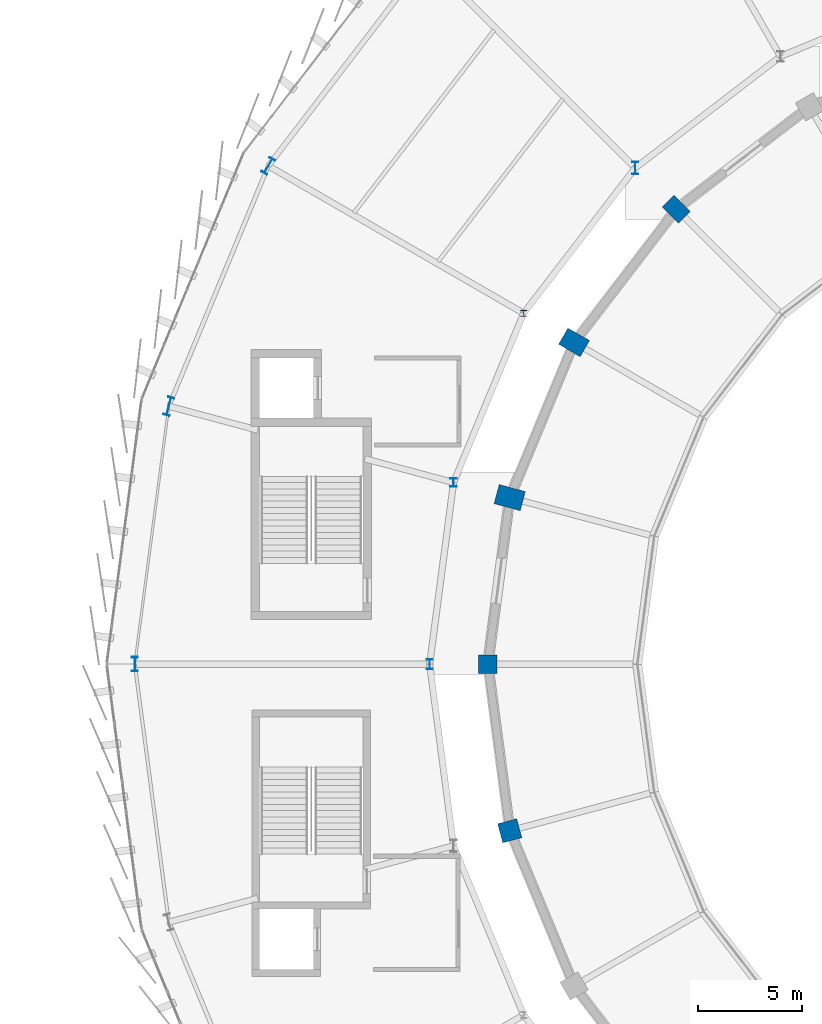
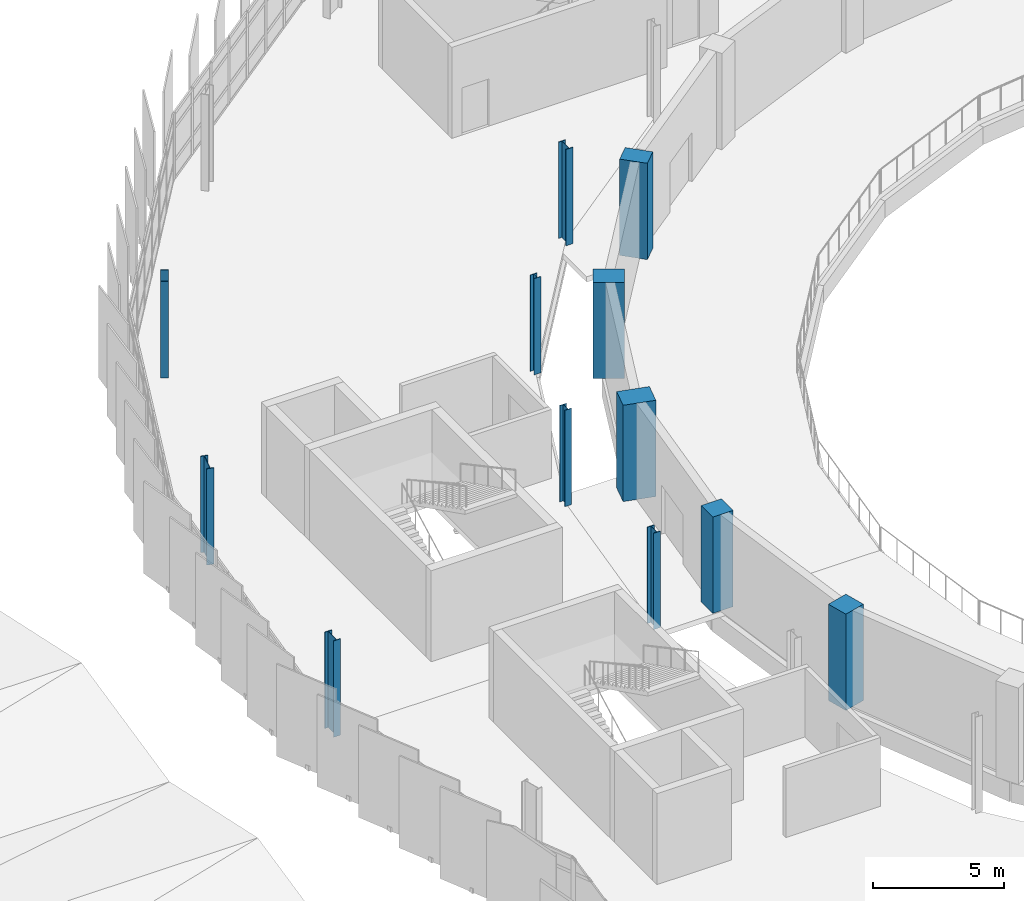
# One storey, part 8 of 87: 12 columns.
"""IFC4 building model written with IfcOpenShell, lengths in metres."""

from ifc_helpers import new_model, si_unit, direction, frame, origin, origin_2d, place, context, subcontext, project, spatial, rectangle, i_section, extrude, material, material_profile, profile_set, type_object, element, save


model = new_model("IFC4")

# Units and contexts
model_context = context("Model", 3, precision=1e-05, world=origin(), true_north=direction((0.0, 1.0)))
body_context = subcontext(model_context, "Body", "Model", "MODEL_VIEW")
ifc_project = project(units=[si_unit("LENGTHUNIT", "METRE"), si_unit("AREAUNIT", "SQUARE_METRE"), si_unit("VOLUMEUNIT", "CUBIC_METRE"), si_unit("PLANEANGLEUNIT", "RADIAN"), si_unit("MASSUNIT", "GRAM", prefix="KILO")], contexts=[model_context])

# Site, building, storey
site_placement = place(None, origin())
site = spatial("IfcSite", under=ifc_project, at=site_placement, CompositionType="ELEMENT")
building_placement = place(site_placement, origin())
building = spatial("IfcBuilding", under=site, at=building_placement, Name="Sohan Crest Arena", CompositionType="ELEMENT")
storey_placement = place(building_placement, frame((0.0, 0.0, 18.0)))
storey = spatial("IfcBuildingStorey", under=building, at=storey_placement, Name="L04", CompositionType="ELEMENT", Elevation=18.0)

# Columns
ifc_material_1 = material(Name="Concrete C40/50", Category="concrete")
ifc_material_profile_1 = material_profile(ifc_material_1, rectangle(XDim=0.89990234375, YDim=0.89990234375, at=origin_2d()), Name="RC 900x900")
ifc_profile_set_1 = profile_set([ifc_material_profile_1], Name="Concrete C40/50")
column_type_1 = type_object("IfcColumnType", Name="STR-COL-C07", PredefinedType="COLUMN", material=ifc_profile_set_1)
column_1_placement = place(storey_placement, frame((67.0, 78.0, 0.0), z_axis=(0.0, 0.0, 1.0), x_axis=(1.0, 0.0, 0.0)))
element("IfcColumn", 1, at=column_1_placement, inside=storey, type_object=column_type_1, Name="Structural column COL-V1R-07-L04", PredefinedType="COLUMN", context=body_context, shape_type="SweptSolid", body=[
    extrude(rectangle(XDim=0.89990234375, YDim=0.89990234375, at=origin_2d()), origin(), (0.0, 0.0, 1.0), 4.5),
])
ifc_material_profile_2 = material_profile(ifc_material_1, rectangle(XDim=0.949951171875, YDim=0.949951171875, at=origin_2d()), Name="RC 950x950")
ifc_profile_set_2 = profile_set([ifc_material_profile_2], Name="Concrete C40/50")
column_type_2 = type_object("IfcColumnType", Name="STR-COL-C08", PredefinedType="COLUMN", material=ifc_profile_set_2)
column_2_placement = place(storey_placement, frame((68.055908203125, 69.97705078125, 0.0), z_axis=(0.0, 0.0, 1.0), x_axis=(0.965925826289, 0.258819045103, 0.0)))
element("IfcColumn", 2, at=column_2_placement, inside=storey, type_object=column_type_2, Name="Structural column COL-V1R-08-L04", PredefinedType="COLUMN", context=body_context, shape_type="SweptSolid", body=[
    extrude(rectangle(XDim=0.949951171875, YDim=0.949951171875, at=origin_2d()), origin(), (0.0, 0.0, 1.0), 4.5),
])
ifc_material_profile_3 = material_profile(ifc_material_1, rectangle(XDim=1.10009765625, YDim=0.800048828125, at=origin_2d()), Name="RC 1100x800")
ifc_profile_set_3 = profile_set([ifc_material_profile_3], Name="Concrete C40/50")
column_type_3 = type_object("IfcColumnType", Name="STR-COL-C10", PredefinedType="COLUMN", material=ifc_profile_set_3)
column_3_placement = place(storey_placement, frame((76.080078125, 99.919921875, 0.0), z_axis=(0.0, 0.0, 1.0), x_axis=(-0.707106781187, 0.707106781187, 0.0)))
element("IfcColumn", 3, at=column_3_placement, inside=storey, type_object=column_type_3, Name="Structural column COL-V1R-04-L04", PredefinedType="COLUMN", context=body_context, shape_type="SweptSolid", body=[
    extrude(rectangle(XDim=1.10009765625, YDim=0.800048828125, at=origin_2d()), origin(), (0.0, 0.0, 1.0), 4.5),
])
ifc_material_profile_4 = material_profile(ifc_material_1, rectangle(XDim=1.199951171875, YDim=0.89990234375, at=origin_2d()), Name="RC 1200x900")
ifc_profile_set_4 = profile_set([ifc_material_profile_4], Name="Concrete C40/50")
column_type_4 = type_object("IfcColumnType", Name="STR-COL-C11", PredefinedType="COLUMN", material=ifc_profile_set_4)
column_4_placement = place(storey_placement, frame((71.153076171875, 93.5, 0.0), z_axis=(0.0, 0.0, 1.0), x_axis=(-0.866025403784, 0.5, 0.0)))
element("IfcColumn", 4, at=column_4_placement, inside=storey, type_object=column_type_4, Name="Structural column COL-V1R-05-L04", PredefinedType="COLUMN", context=body_context, shape_type="SweptSolid", body=[
    extrude(rectangle(XDim=1.199951171875, YDim=0.89990234375, at=origin_2d()), origin(), (0.0, 0.0, 1.0), 4.5),
])
ifc_material_profile_5 = material_profile(ifc_material_1, rectangle(XDim=1.300048828125, YDim=0.949951171875, at=origin_2d()), Name="RC 1300x950")
ifc_profile_set_5 = profile_set([ifc_material_profile_5], Name="Concrete C40/50")
column_type_5 = type_object("IfcColumnType", Name="STR-COL-C12", PredefinedType="COLUMN", material=ifc_profile_set_5)
column_5_placement = place(storey_placement, frame((68.055908203125, 86.02294921875, 0.0), z_axis=(0.0, 0.0, 1.0), x_axis=(-0.965925826289, 0.258819045103, 0.0)))
element("IfcColumn", 5, at=column_5_placement, inside=storey, type_object=column_type_5, Name="Structural column COL-V1R-06-L04", PredefinedType="COLUMN", context=body_context, shape_type="SweptSolid", body=[
    extrude(rectangle(XDim=1.300048828125, YDim=0.949951171875, at=origin_2d()), origin(), (0.0, 0.0, 1.0), 4.5),
])
ifc_material_2 = material(Name="Steel S355", Category="steel")
ifc_material_profile_6 = material_profile(ifc_material_2, i_section(OverallWidth=0.300048828125, OverallDepth=0.300048828125, WebThickness=0.010986328125, FlangeThickness=0.01904296875, at=origin_2d()), Name="HEB 300")
ifc_profile_set_6 = profile_set([ifc_material_profile_6], Name="Steel S355")
column_type_6 = type_object("IfcColumnType", Name="STR-COL-C17", PredefinedType="COLUMN", material=ifc_profile_set_6)
column_6_placement = place(storey_placement, frame((68.72802734375, 94.89990234375, 0.0), z_axis=(0.0, 0.0, 1.0), x_axis=(1.0, 0.0, 0.0)))
element("IfcColumn", 6, at=column_6_placement, inside=storey, type_object=column_type_6, Name="Structural column COL-V2I-05-L04", PredefinedType="COLUMN", context=body_context, shape_type="SweptSolid", body=[
    extrude(i_section(OverallWidth=0.300048828125, OverallDepth=0.300048828125, WebThickness=0.010986328125, FlangeThickness=0.01904296875, at=origin_2d()), origin(), (0.0, 0.0, 1.0), 4.5),
])
ifc_material_profile_7 = material_profile(ifc_material_2, i_section(OverallWidth=0.300048828125, OverallDepth=0.39990234375, WebThickness=0.013427734375, FlangeThickness=0.02392578125, at=origin_2d()), Name="HEB 400")
ifc_profile_set_7 = profile_set([ifc_material_profile_7], Name="Steel S355")
column_type_7 = type_object("IfcColumnType", Name="STR-COL-C18", PredefinedType="COLUMN", material=ifc_profile_set_7)
column_7_placement = place(storey_placement, frame((65.35205078125, 86.748046875, 0.0), z_axis=(0.0, 0.0, 1.0), x_axis=(1.0, 0.0, 0.0)))
element("IfcColumn", 7, at=column_7_placement, inside=storey, type_object=column_type_7, Name="Structural column COL-V2I-06-L04", PredefinedType="COLUMN", context=body_context, shape_type="SweptSolid", body=[
    extrude(i_section(OverallWidth=0.300048828125, OverallDepth=0.39990234375, WebThickness=0.013427734375, FlangeThickness=0.02392578125, at=origin_2d()), origin(), (0.0, 0.0, 1.0), 4.5),
])
ifc_material_profile_8 = material_profile(ifc_material_2, i_section(OverallWidth=0.300048828125, OverallDepth=0.5, WebThickness=0.014404296875, FlangeThickness=0.028076171875, at=origin_2d()), Name="HEB 500")
ifc_profile_set_8 = profile_set([ifc_material_profile_8], Name="Steel S355")
column_type_8 = type_object("IfcColumnType", Name="STR-COL-C19", PredefinedType="COLUMN", material=ifc_profile_set_8)
column_8_placement = place(storey_placement, frame((64.199951171875, 78.0, 0.0), z_axis=(0.0, 0.0, 1.0), x_axis=(1.0, 0.0, 0.0)))
element("IfcColumn", 8, at=column_8_placement, inside=storey, type_object=column_type_8, Name="Structural column COL-V2I-07-L04", PredefinedType="COLUMN", context=body_context, shape_type="SweptSolid", body=[
    extrude(i_section(OverallWidth=0.300048828125, OverallDepth=0.5, WebThickness=0.014404296875, FlangeThickness=0.028076171875, at=origin_2d()), origin(), (0.0, 0.0, 1.0), 4.5),
])
ifc_material_profile_9 = material_profile(ifc_material_2, i_section(OverallWidth=0.300048828125, OverallDepth=0.60009765625, WebThickness=0.015380859375, FlangeThickness=0.030029296875, at=origin_2d()), Name="HEB 600")
ifc_profile_set_9 = profile_set([ifc_material_profile_9], Name="Steel S355")
column_type_9 = type_object("IfcColumnType", Name="STR-COL-C20", PredefinedType="COLUMN", material=ifc_profile_set_9)
column_9_placement = place(storey_placement, frame((74.10009765625, 101.89990234375, 0.0), z_axis=(0.0, 0.0, 1.0), x_axis=(1.0, 0.0, 0.0)))
element("IfcColumn", 9, at=column_9_placement, inside=storey, type_object=column_type_9, Name="Structural column COL-V2I-04-L04", PredefinedType="COLUMN", context=body_context, shape_type="SweptSolid", body=[
    extrude(i_section(OverallWidth=0.300048828125, OverallDepth=0.60009765625, WebThickness=0.015380859375, FlangeThickness=0.030029296875, at=origin_2d()), origin(), (0.0, 0.0, 1.0), 4.5),
])
ifc_material_profile_10 = material_profile(ifc_material_2, i_section(OverallWidth=0.300048828125, OverallDepth=0.699951171875, WebThickness=0.01708984375, FlangeThickness=0.031982421875, at=origin_2d()), Name="HEB 700")
ifc_profile_set_10 = profile_set([ifc_material_profile_10], Name="Steel S355")
column_type_10 = type_object("IfcColumnType", Name="STR-COL-C21", PredefinedType="COLUMN", material=ifc_profile_set_10)
column_10_placement = place(storey_placement, frame((50.0, 78.0, 0.0), z_axis=(0.0, 0.0, 1.0), x_axis=(1.0, 0.0, 0.0)))
element("IfcColumn", 10, at=column_10_placement, inside=storey, type_object=column_type_10, Name="Structural column COL-V2O-07-L04", PredefinedType="COLUMN", context=body_context, shape_type="SweptSolid", body=[
    extrude(i_section(OverallWidth=0.300048828125, OverallDepth=0.699951171875, WebThickness=0.01708984375, FlangeThickness=0.031982421875, at=origin_2d()), origin(), (0.0, 0.0, 1.0), 4.5),
])
ifc_material_profile_11 = material_profile(ifc_material_2, i_section(OverallWidth=0.300048828125, OverallDepth=0.800048828125, WebThickness=0.017578125, FlangeThickness=0.032958984375, at=origin_2d()), Name="HEB 800")
ifc_profile_set_11 = profile_set([ifc_material_profile_11], Name="Steel S355")
column_type_11 = type_object("IfcColumnType", Name="STR-COL-C22", PredefinedType="COLUMN", material=ifc_profile_set_11)
column_11_placement = place(storey_placement, frame((56.430908203125, 102.0, 0.0), z_axis=(0.0, 0.0, 1.0), x_axis=(-0.866025403784, 0.5, 0.0)))
element("IfcColumn", 11, at=column_11_placement, inside=storey, type_object=column_type_11, Name="Structural column COL-V2O-05-L04", PredefinedType="COLUMN", context=body_context, shape_type="SweptSolid", body=[
    extrude(i_section(OverallWidth=0.300048828125, OverallDepth=0.800048828125, WebThickness=0.017578125, FlangeThickness=0.032958984375, at=origin_2d()), origin(), (0.0, 0.0, 1.0), 4.5),
])
ifc_material_profile_12 = material_profile(ifc_material_2, i_section(OverallWidth=0.300048828125, OverallDepth=0.89990234375, WebThickness=0.0185546875, FlangeThickness=0.034912109375, at=origin_2d()), Name="HEB 900")
ifc_profile_set_12 = profile_set([ifc_material_profile_12], Name="Steel S355")
column_type_12 = type_object("IfcColumnType", Name="STR-COL-C23", PredefinedType="COLUMN", material=ifc_profile_set_12)
column_12_placement = place(storey_placement, frame((51.635986328125, 90.423095703125, 0.0), z_axis=(0.0, 0.0, 1.0), x_axis=(-0.965925826289, 0.258819045103, 0.0)))
element("IfcColumn", 12, at=column_12_placement, inside=storey, type_object=column_type_12, Name="Structural column COL-V2O-06-L04", PredefinedType="COLUMN", context=body_context, shape_type="SweptSolid", body=[
    extrude(i_section(OverallWidth=0.300048828125, OverallDepth=0.89990234375, WebThickness=0.0185546875, FlangeThickness=0.034912109375, at=origin_2d()), origin(), (0.0, 0.0, 1.0), 4.5),
])

save(model, "model.ifc")
